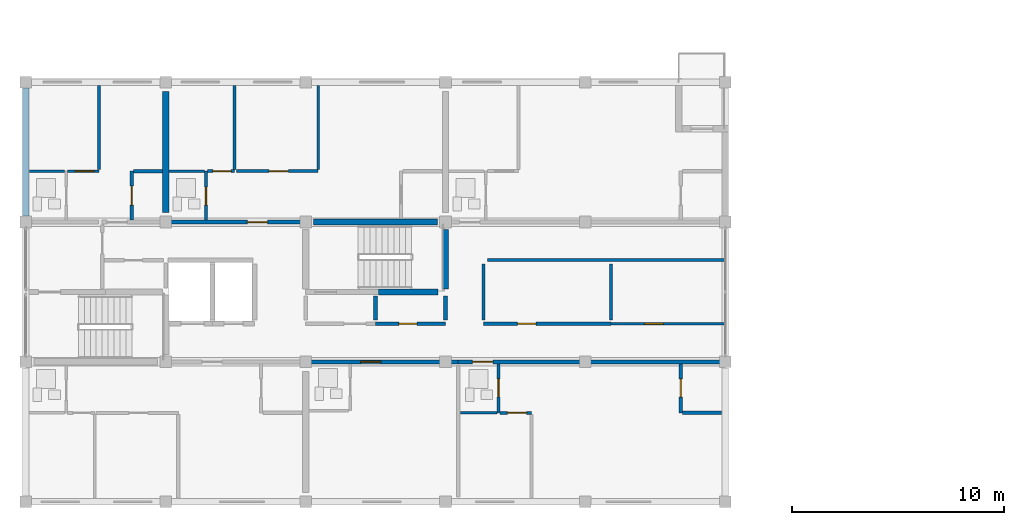
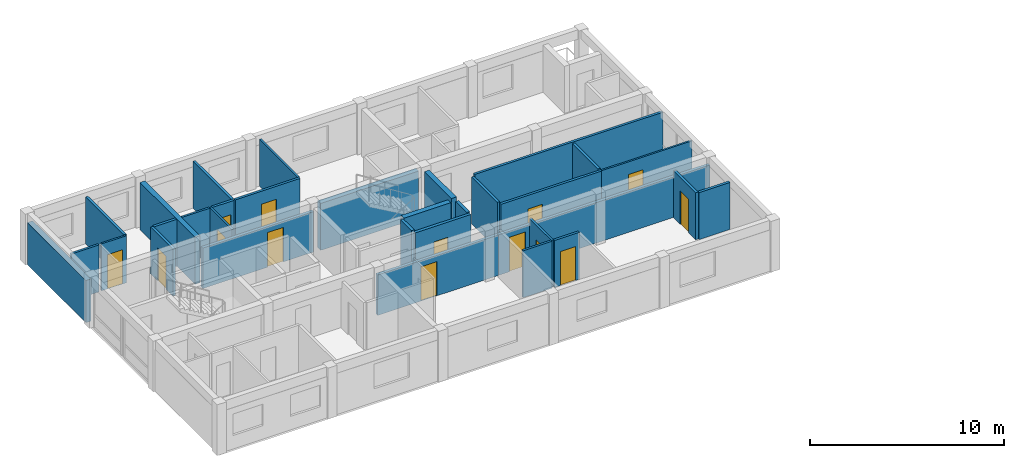
# One storey, part 32 of 45: 32 walls, 14 doors, 14 openings.
"""IFC4 building model written with IfcOpenShell, lengths in metres."""

from ifc_helpers import new_model, si_unit, direction, frame, frame_2d, origin, place, context, subcontext, project, spatial, rectangle, extrude, material, layer, layer_set, type_object, element, fill, save


model = new_model("IFC4")

# Units and contexts
model_context = context("Model", 3, precision=1e-05, world=origin(), true_north=direction((0.0, 1.0)))
body_context = subcontext(model_context, "Body", "Model", "MODEL_VIEW")
ifc_project = project(units=[si_unit("LENGTHUNIT", "METRE"), si_unit("AREAUNIT", "SQUARE_METRE"), si_unit("VOLUMEUNIT", "CUBIC_METRE"), si_unit("PLANEANGLEUNIT", "RADIAN"), si_unit("MASSUNIT", "GRAM", prefix="KILO")], contexts=[model_context])

# Site, building, storey
site_placement = place(None, origin())
site = spatial("IfcSite", under=ifc_project, at=site_placement, CompositionType="ELEMENT")
building_placement = place(site_placement, origin())
building = spatial("IfcBuilding", under=site, at=building_placement, Name="Kernevlak Ridge Housing Community", CompositionType="ELEMENT")
storey_placement = place(building_placement, frame((0.0, 0.0, 21.199951171875)))
storey = spatial("IfcBuildingStorey", under=building, at=storey_placement, Name="L06", CompositionType="ELEMENT", Elevation=21.199951171875)

# Wall
ifc_material_1 = material(Name="Concrete block masonry M10", Category="masonry")
ifc_layer_1 = layer(ifc_material_1, 0.320068359375, Name="Concrete block masonry M10")
ifc_layer_set_1 = layer_set([ifc_layer_1], Name="Concrete block masonry M10")
wall_type_1 = type_object("IfcWallType", Name="EW-02", PredefinedType="STANDARD", material=ifc_layer_set_1)
wall_1_placement = place(storey_placement, frame((15.60009765625, 89.47509765625, 0.0), z_axis=(0.0, 0.0, 1.0), x_axis=(0.0, 1.0, 0.0)))
element("IfcWall", 1, at=wall_1_placement, inside=storey, type_object=wall_type_1, Name="Exterior wall EW-02 L06 106", PredefinedType="STANDARD", context=body_context, shape_type="SweptSolid", body=[
    extrude(rectangle(XDim=6.0498046875, YDim=0.320068359375, at=frame_2d((3.02490234375, 0.0))), origin(), (0.0, 0.0, 1.0), 2.650146484375),
])

# Wall, opening, door
ifc_layer_2 = layer(ifc_material_1, 0.175048828125, Name="Concrete block masonry M10")
ifc_layer_set_2 = layer_set([ifc_layer_2], Name="Concrete block masonry M10")
wall_type_2 = type_object("IfcWallType", Name="PW-02", PredefinedType="PARTITIONING", material=ifc_layer_set_2)
wall_2_placement = place(storey_placement, frame((32.10009765625, 84.39990234375, 0.0), z_axis=(0.0, 0.0, 1.0), x_axis=(1.0, 0.0, 0.0)))
wall_2 = element("IfcWall", 2, at=wall_2_placement, inside=storey, type_object=wall_type_2, Name="Interior wall PW-02 WAL-INT-L06-0386", PredefinedType="PARTITIONING", context=body_context, shape_type="SweptSolid", body=[
    extrude(rectangle(XDim=3.2998046875, YDim=0.175048828125, at=frame_2d((1.64990234375, 0.0))), origin(), (0.0, 0.0, 1.0), 2.9599609375),
])
opening_1_placement = place(wall_2_placement, frame((1.10009765625, 0.0, 0.0)))
opening_1 = element("IfcOpeningElement", 3, at=opening_1_placement, cuts=wall_2, Name="Opening D194", PredefinedType="OPENING", context=body_context, shape_type="SweptSolid", body=[
    extrude(rectangle(XDim=0.85009765625, YDim=2.0, at=frame_2d((0.425048828125, 1.0))), frame((0.0, 0.097412109375, 0.0), z_axis=(0.0, -1.0, 0.0), x_axis=(1.0, 0.0, 0.0)), (0.0, 0.0, 1.0), 0.195068359375),
])
ifc_material_2 = material(Name="Fire-rated sheet steel leaf", Category="steel")
door_type_1 = type_object("IfcDoorType", Name="DT-07", OperationType="NOTDEFINED", PredefinedType="DOOR", material=ifc_material_2)
door_1_placement = place(opening_1_placement, origin())
door_1 = element("IfcDoor", 4, at=door_1_placement, inside=storey, type_object=door_type_1, Name="Block A Cleaner store door D194", OperationType="SINGLE_SWING_RIGHT", OverallHeight=2.0, OverallWidth=0.85009765625, PredefinedType="DOOR", context=body_context, shape_type="SweptSolid", body=[
    extrude(rectangle(XDim=0.85009765625, YDim=2.0, at=frame_2d((0.425048828125, 1.0))), frame((0.0, 0.02490234375, 0.0), z_axis=(0.0, -1.0, 0.0), x_axis=(1.0, 0.0, 0.0)), (0.0, 0.0, 1.0), 0.050048828125),
])
fill(opening_1, door_1)

# Walls
for number, where, z_axis, x_axis, name in (
    (5, (32.10009765625, 84.580078125, 0.0), (0.0, 0.0, 1.0), (0.0, 1.0, 0.0), "Interior wall PW-02 WAL-INT-L06-0388"),
    (6, (35.39990234375, 84.580078125, 0.0), (0.0, 0.0, 1.0), (0.0, 1.0, 0.0), "Interior wall PW-02 WAL-INT-L06-0389"),
):
    element("IfcWall", number, at=place(storey_placement, frame(where, z_axis=z_axis, x_axis=x_axis)), inside=storey, type_object=wall_type_2, Name=name, PredefinedType="PARTITIONING", context=body_context, shape_type="SweptSolid", body=[
        extrude(rectangle(XDim=1.139892578125, YDim=0.175048828125, at=frame_2d((0.56982421875, 0.0))), origin(), (0.0, 0.0, 1.0), 2.9599609375),
    ])

# Wall, opening, door
wall_3_placement = place(storey_placement, frame((28.800048828125, 82.60009765625, 0.0), z_axis=(0.0, 0.0, 1.0), x_axis=(1.0, 0.0, 0.0)))
wall_3 = element("IfcWall", 7, at=wall_3_placement, inside=storey, type_object=wall_type_2, Name="Interior wall PW-02 WAL-INT-L06-0404", PredefinedType="PARTITIONING", context=body_context, shape_type="SweptSolid", body=[
    extrude(rectangle(XDim=7.199951171875, YDim=0.175048828125, at=frame_2d((3.60009765625, 0.0))), origin(), (0.0, 0.0, 1.0), 2.550048828125),
])
opening_2_placement = place(wall_3_placement, frame((2.60009765625, 0.0, 0.0)))
opening_2 = element("IfcOpeningElement", 8, at=opening_2_placement, cuts=wall_3, Name="Opening D202", PredefinedType="OPENING", context=body_context, shape_type="SweptSolid", body=[
    extrude(rectangle(XDim=0.949951171875, YDim=2.159912109375, at=frame_2d((0.47509765625, 1.080078125))), frame((0.0, 0.097412109375, 0.0), z_axis=(0.0, -1.0, 0.0), x_axis=(1.0, 0.0, 0.0)), (0.0, 0.0, 1.0), 0.195068359375),
])
ifc_material_3 = material(Name="Hardwood timber solid-core fire leaf", Category="wood")
door_type_2 = type_object("IfcDoorType", Name="DT-02", OperationType="NOTDEFINED", PredefinedType="DOOR", material=ifc_material_3)
door_2_placement = place(opening_2_placement, origin())
door_2 = element("IfcDoor", 9, at=door_2_placement, inside=storey, type_object=door_type_2, Name="Flat A0612 entrance fire door D202", OperationType="SINGLE_SWING_RIGHT", OverallHeight=2.159912109375, OverallWidth=0.949951171875, PredefinedType="DOOR", context=body_context, shape_type="SweptSolid", body=[
    extrude(rectangle(XDim=0.949951171875, YDim=2.159912109375, at=frame_2d((0.47509765625, 1.080078125))), frame((0.0, 0.02490234375, 0.0), z_axis=(0.0, -1.0, 0.0), x_axis=(1.0, 0.0, 0.0)), (0.0, 0.0, 1.0), 0.050048828125),
])
fill(opening_2, door_2)

wall_4_placement = place(storey_placement, frame((36.0, 82.60009765625, 0.0), z_axis=(0.0, 0.0, 1.0), x_axis=(1.0, 0.0, 0.0)))
wall_4 = element("IfcWall", 10, at=wall_4_placement, inside=storey, type_object=wall_type_2, Name="Interior wall PW-02 WAL-INT-L06-0408", PredefinedType="PARTITIONING", context=body_context, shape_type="SweptSolid", body=[
    extrude(rectangle(XDim=12.60009765625, YDim=0.175048828125, at=frame_2d((6.300048828125, 0.0))), origin(), (0.0, 0.0, 1.0), 2.550048828125),
])
opening_3_placement = place(wall_4_placement, frame((0.669921875, 0.0, 0.0)))
opening_3 = element("IfcOpeningElement", 11, at=opening_3_placement, cuts=wall_4, Name="Opening D204", PredefinedType="OPENING", context=body_context, shape_type="SweptSolid", body=[
    extrude(rectangle(XDim=0.9599609375, YDim=2.179931640625, at=frame_2d((0.47998046875, 1.08984375))), frame((0.0, 0.097412109375, 0.0), z_axis=(0.0, -1.0, 0.0), x_axis=(1.0, 0.0, 0.0)), (0.0, 0.0, 1.0), 0.195068359375),
])
door_type_3 = type_object("IfcDoorType", Name="DT-29", OperationType="NOTDEFINED", PredefinedType="DOOR", material=ifc_material_3)
door_3_placement = place(opening_3_placement, origin())
door_3 = element("IfcDoor", 12, at=door_3_placement, inside=storey, type_object=door_type_3, Name="Flat A0613 entrance fire door D204", OperationType="SINGLE_SWING_RIGHT", OverallHeight=2.179931640625, OverallWidth=0.9599609375, PredefinedType="DOOR", context=body_context, shape_type="SweptSolid", body=[
    extrude(rectangle(XDim=0.9599609375, YDim=2.179931640625, at=frame_2d((0.47998046875, 1.08984375))), frame((0.0, 0.02490234375, 0.0), z_axis=(0.0, -1.0, 0.0), x_axis=(1.0, 0.0, 0.0)), (0.0, 0.0, 1.0), 0.050048828125),
])
fill(opening_3, door_3)

wall_5_placement = place(storey_placement, frame((22.199951171875, 89.199951171875, 0.0), z_axis=(0.0, 0.0, 1.0), x_axis=(1.0, 0.0, 0.0)))
wall_5 = element("IfcWall", 13, at=wall_5_placement, inside=storey, type_object=wall_type_2, Name="Interior wall PW-02 WAL-INT-L06-0423", PredefinedType="PARTITIONING", context=body_context, shape_type="SweptSolid", body=[
    extrude(rectangle(XDim=6.60009765625, YDim=0.175048828125, at=frame_2d((3.300048828125, 0.0))), origin(), (0.0, 0.0, 1.0), 2.550048828125),
])
opening_4_placement = place(wall_5_placement, frame((3.85009765625, 0.0, 0.0)))
opening_4 = element("IfcOpeningElement", 14, at=opening_4_placement, cuts=wall_5, Name="Opening D212", PredefinedType="OPENING", context=body_context, shape_type="SweptSolid", body=[
    extrude(rectangle(XDim=0.9599609375, YDim=2.179931640625, at=frame_2d((0.47998046875, 1.08984375))), frame((0.0, 0.097412109375, 0.0), z_axis=(0.0, -1.0, 0.0), x_axis=(1.0, 0.0, 0.0)), (0.0, 0.0, 1.0), 0.195068359375),
])
door_4_placement = place(opening_4_placement, origin())
door_4 = element("IfcDoor", 15, at=door_4_placement, inside=storey, type_object=door_type_3, Name="Flat A0622 entrance fire door D212", OperationType="SINGLE_SWING_RIGHT", OverallHeight=2.179931640625, OverallWidth=0.9599609375, PredefinedType="DOOR", context=body_context, shape_type="SweptSolid", body=[
    extrude(rectangle(XDim=0.9599609375, YDim=2.179931640625, at=frame_2d((0.47998046875, 1.08984375))), frame((0.0, 0.02490234375, 0.0), z_axis=(0.0, -1.0, 0.0), x_axis=(1.0, 0.0, 0.0)), (0.0, 0.0, 1.0), 0.050048828125),
])
fill(opening_4, door_4)

ifc_layer_3 = layer(ifc_material_1, 0.14501953125, Name="Concrete block masonry M10")
ifc_layer_set_3 = layer_set([ifc_layer_3], Name="Concrete block masonry M10")
wall_type_3 = type_object("IfcWallType", Name="PW-03", PredefinedType="PARTITIONING", material=ifc_layer_set_3)
wall_6_placement = place(storey_placement, frame((37.199951171875, 84.39990234375, 0.0), z_axis=(0.0, 0.0, 1.0), x_axis=(1.0, 0.0, 0.0)))
wall_6 = element("IfcWall", 16, at=wall_6_placement, inside=storey, type_object=wall_type_3, Name="Interior wall PW-03 WAL-INT-L06-0390", PredefinedType="PARTITIONING", context=body_context, shape_type="SweptSolid", body=[
    extrude(rectangle(XDim=6.0, YDim=0.14501953125, at=frame_2d((3.0, 0.0))), origin(), (0.0, 0.0, 1.0), 2.9599609375),
])
opening_5_placement = place(wall_6_placement, frame((1.60009765625, 0.0, 0.0)))
opening_5 = element("IfcOpeningElement", 17, at=opening_5_placement, cuts=wall_6, Name="Opening D195", PredefinedType="OPENING", context=body_context, shape_type="SweptSolid", body=[
    extrude(rectangle(XDim=0.8798828125, YDim=2.10009765625, at=frame_2d((0.43994140625, 1.050048828125))), frame((0.0, 0.08251953125, 0.0), z_axis=(0.0, -1.0, 0.0), x_axis=(1.0, 0.0, 0.0)), (0.0, 0.0, 1.0), 0.1650390625),
])
ifc_material_4 = material(Name="Hardwood timber leaf", Category="wood")
door_type_4 = type_object("IfcDoorType", Name="DT-25", OperationType="NOTDEFINED", PredefinedType="DOOR", material=ifc_material_4)
door_5_placement = place(opening_5_placement, origin())
door_5 = element("IfcDoor", 18, at=door_5_placement, inside=storey, type_object=door_type_4, Name="Block A Laundry room door D195", OperationType="SINGLE_SWING_LEFT", OverallHeight=2.10009765625, OverallWidth=0.8798828125, PredefinedType="DOOR", context=body_context, shape_type="SweptSolid", body=[
    extrude(rectangle(XDim=0.8798828125, YDim=2.10009765625, at=frame_2d((0.43994140625, 1.050048828125))), frame((0.0, 0.02490234375, 0.0), z_axis=(0.0, -1.0, 0.0), x_axis=(1.0, 0.0, 0.0)), (0.0, 0.0, 1.0), 0.050048828125),
])
fill(opening_5, door_5)

# Walls
wall_7_placement = place(storey_placement, frame((43.199951171875, 84.580078125, 0.0), z_axis=(0.0, 0.0, 1.0), x_axis=(0.0, 1.0, 0.0)))
element("IfcWall", 19, at=wall_7_placement, inside=storey, type_object=wall_type_3, Name="Interior wall PW-03 WAL-INT-L06-0392", PredefinedType="PARTITIONING", context=body_context, shape_type="SweptSolid", body=[
    extrude(rectangle(XDim=2.639892578125, YDim=0.14501953125, at=frame_2d((1.31982421875, 0.0))), origin(), (0.0, 0.0, 1.0), 2.9599609375),
])
wall_8_placement = place(storey_placement, frame((37.3798828125, 87.39990234375, 0.0), z_axis=(0.0, 0.0, 1.0), x_axis=(1.0, 0.0, 0.0)))
element("IfcWall", 20, at=wall_8_placement, inside=storey, type_object=wall_type_3, Name="Interior wall PW-03 WAL-INT-L06-0393", PredefinedType="PARTITIONING", context=body_context, shape_type="SweptSolid", body=[
    extrude(rectangle(XDim=11.2001953125, YDim=0.14501953125, at=frame_2d((5.60009765625, 0.0))), origin(), (0.0, 0.0, 1.0), 2.9599609375),
])
wall_9_placement = place(storey_placement, frame((37.199951171875, 84.580078125, 0.0), z_axis=(0.0, 0.0, 1.0), x_axis=(0.0, 1.0, 0.0)))
element("IfcWall", 21, at=wall_9_placement, inside=storey, type_object=wall_type_3, Name="Interior wall PW-03 WAL-INT-L06-0394", PredefinedType="PARTITIONING", context=body_context, shape_type="SweptSolid", body=[
    extrude(rectangle(XDim=2.639892578125, YDim=0.14501953125, at=frame_2d((1.31982421875, 0.0))), origin(), (0.0, 0.0, 1.0), 2.9599609375),
])

# Wall, opening, door
wall_10_placement = place(storey_placement, frame((37.972412109375, 80.199951171875, 0.0), z_axis=(0.0, 0.0, 1.0), x_axis=(1.0, 0.0, 0.0)))
wall_10 = element("IfcWall", 22, at=wall_10_placement, inside=storey, type_object=wall_type_3, Name="Interior wall PW-03 WAL-INT-L06-0413", PredefinedType="PARTITIONING", context=body_context, shape_type="SweptSolid", body=[
    extrude(rectangle(XDim=1.4775390625, YDim=0.14501953125, at=frame_2d((0.73876953125, 0.0))), origin(), (0.0, 0.0, 1.0), 2.9599609375),
])
opening_6_placement = place(wall_10_placement, frame((0.35009765625, 0.0, 0.0)))
opening_6 = element("IfcOpeningElement", 23, at=opening_6_placement, cuts=wall_10, Name="Opening D207", PredefinedType="OPENING", context=body_context, shape_type="SweptSolid", body=[
    extrude(rectangle(XDim=0.909912109375, YDim=2.139892578125, at=frame_2d((0.455078125, 1.06982421875))), frame((0.0, 0.08251953125, 0.0), z_axis=(0.0, -1.0, 0.0), x_axis=(1.0, 0.0, 0.0)), (0.0, 0.0, 1.0), 0.1650390625),
])
door_type_5 = type_object("IfcDoorType", Name="DT-31", OperationType="NOTDEFINED", PredefinedType="DOOR", material=ifc_material_4)
door_6_placement = place(opening_6_placement, origin())
door_6 = element("IfcDoor", 24, at=door_6_placement, inside=storey, type_object=door_type_5, Name="Flat A0613 bedroom door D207", OperationType="SINGLE_SWING_LEFT", OverallHeight=2.139892578125, OverallWidth=0.909912109375, PredefinedType="DOOR", context=body_context, shape_type="SweptSolid", body=[
    extrude(rectangle(XDim=0.909912109375, YDim=2.139892578125, at=frame_2d((0.455078125, 1.06982421875))), frame((0.0, 0.02490234375, 0.0), z_axis=(0.0, -1.0, 0.0), x_axis=(1.0, 0.0, 0.0)), (0.0, 0.0, 1.0), 0.050048828125),
])
fill(opening_6, door_6)

# Wall
wall_11_placement = place(storey_placement, frame((19.050048828125, 91.679931640625, 0.0), z_axis=(0.0, 0.0, 1.0), x_axis=(0.0, 1.0, 0.0)))
element("IfcWall", 25, at=wall_11_placement, inside=storey, type_object=wall_type_3, Name="Interior wall PW-03 WAL-INT-L06-0422", PredefinedType="PARTITIONING", context=body_context, shape_type="SweptSolid", body=[
    extrude(rectangle(XDim=3.949951171875, YDim=0.14501953125, at=frame_2d((1.97509765625, 0.0))), origin(), (0.0, 0.0, 1.0), 2.9599609375),
])

# Wall, opening, door
wall_12_placement = place(storey_placement, frame((24.172607421875, 91.60009765625, 0.0), z_axis=(0.0, 0.0, 1.0), x_axis=(1.0, 0.0, 0.0)))
wall_12 = element("IfcWall", 26, at=wall_12_placement, inside=storey, type_object=wall_type_3, Name="Interior wall PW-03 WAL-INT-L06-0428", PredefinedType="PARTITIONING", context=body_context, shape_type="SweptSolid", body=[
    extrude(rectangle(XDim=1.27734375, YDim=0.14501953125, at=frame_2d((0.638671875, 0.0))), origin(), (0.0, 0.0, 1.0), 2.9599609375),
])
opening_7_placement = place(wall_12_placement, frame((0.24755859375, 0.0, 0.0)))
opening_7 = element("IfcOpeningElement", 27, at=opening_7_placement, cuts=wall_12, Name="Opening D215", PredefinedType="OPENING", context=body_context, shape_type="SweptSolid", body=[
    extrude(rectangle(XDim=0.860107421875, YDim=2.1201171875, at=frame_2d((0.43017578125, 1.06005859375))), frame((0.0, 0.08251953125, 0.0), z_axis=(0.0, -1.0, 0.0), x_axis=(1.0, 0.0, 0.0)), (0.0, 0.0, 1.0), 0.1650390625),
])
door_type_6 = type_object("IfcDoorType", Name="DT-28", OperationType="NOTDEFINED", PredefinedType="DOOR", material=ifc_material_4)
door_7_placement = place(opening_7_placement, origin())
door_7 = element("IfcDoor", 28, at=door_7_placement, inside=storey, type_object=door_type_6, Name="Flat A0622 bedroom door D215", OperationType="SINGLE_SWING_LEFT", OverallHeight=2.1201171875, OverallWidth=0.860107421875, PredefinedType="DOOR", context=body_context, shape_type="SweptSolid", body=[
    extrude(rectangle(XDim=0.860107421875, YDim=2.1201171875, at=frame_2d((0.43017578125, 1.06005859375))), frame((0.0, 0.02490234375, 0.0), z_axis=(0.0, -1.0, 0.0), x_axis=(1.0, 0.0, 0.0)), (0.0, 0.0, 1.0), 0.050048828125),
])
fill(opening_7, door_7)

# Wall
wall_13_placement = place(storey_placement, frame((25.449951171875, 91.6826171875, 0.0), z_axis=(0.0, 0.0, 1.0), x_axis=(0.0, 1.0, 0.0)))
element("IfcWall", 29, at=wall_13_placement, inside=storey, type_object=wall_type_3, Name="Interior wall PW-03 WAL-INT-L06-0429", PredefinedType="PARTITIONING", context=body_context, shape_type="SweptSolid", body=[
    extrude(rectangle(XDim=3.947265625, YDim=0.14501953125, at=frame_2d((1.9736328125, 0.0))), origin(), (0.0, 0.0, 1.0), 2.9599609375),
])

# Wall, opening, door
wall_14_placement = place(storey_placement, frame((25.532470703125, 91.60009765625, 0.0), z_axis=(0.0, 0.0, 1.0), x_axis=(1.0, 0.0, 0.0)))
wall_14 = element("IfcWall", 30, at=wall_14_placement, inside=storey, type_object=wall_type_3, Name="Interior wall PW-03 WAL-INT-L06-0430", PredefinedType="PARTITIONING", context=body_context, shape_type="SweptSolid", body=[
    extrude(rectangle(XDim=3.859619140625, YDim=0.14501953125, at=frame_2d((1.9296875, 0.0))), origin(), (0.0, 0.0, 1.0), 2.9599609375),
])
opening_8_placement = place(wall_14_placement, frame((1.5458984375, 0.0, 0.0)))
opening_8 = element("IfcOpeningElement", 31, at=opening_8_placement, cuts=wall_14, Name="Opening D216", PredefinedType="OPENING", context=body_context, shape_type="SweptSolid", body=[
    extrude(rectangle(XDim=0.909912109375, YDim=2.139892578125, at=frame_2d((0.455078125, 1.06982421875))), frame((0.0, 0.08251953125, 0.0), z_axis=(0.0, -1.0, 0.0), x_axis=(1.0, 0.0, 0.0)), (0.0, 0.0, 1.0), 0.1650390625),
])
door_8_placement = place(opening_8_placement, origin())
door_8 = element("IfcDoor", 32, at=door_8_placement, inside=storey, type_object=door_type_5, Name="Flat A0622 bedroom door D216", OperationType="SINGLE_SWING_RIGHT", OverallHeight=2.139892578125, OverallWidth=0.909912109375, PredefinedType="DOOR", context=body_context, shape_type="SweptSolid", body=[
    extrude(rectangle(XDim=0.909912109375, YDim=2.139892578125, at=frame_2d((0.455078125, 1.06982421875))), frame((0.0, 0.02490234375, 0.0), z_axis=(0.0, -1.0, 0.0), x_axis=(1.0, 0.0, 0.0)), (0.0, 0.0, 1.0), 0.050048828125),
])
fill(opening_8, door_8)

ifc_material_5 = material(Name="Gypsum plasterboard EN 520", Category="gypsum")
ifc_layer_4 = layer(ifc_material_5, 0.125, Name="Gypsum plasterboard EN 520")
ifc_layer_set_4 = layer_set([ifc_layer_4], Name="Gypsum plasterboard EN 520")
wall_type_4 = type_object("IfcWallType", Name="PW-04", PredefinedType="PARTITIONING", material=ifc_layer_set_4)
wall_15_placement = place(storey_placement, frame((37.89990234375, 82.50244140625, 0.0), z_axis=(0.0, 0.0, 1.0), x_axis=(0.0, -1.0, 0.0)))
wall_15 = element("IfcWall", 33, at=wall_15_placement, inside=storey, type_object=wall_type_4, Name="Interior wall PW-04 WAL-INT-L06-0409", PredefinedType="PARTITIONING", context=body_context, shape_type="SweptSolid", body=[
    extrude(rectangle(XDim=2.302490234375, YDim=0.125, at=frame_2d((1.1513671875, 0.0))), origin(), (0.0, 0.0, 1.0), 2.9599609375),
])
opening_9_placement = place(wall_15_placement, frame((0.699951171875, 0.0, 0.0)))
opening_9 = element("IfcOpeningElement", 34, at=opening_9_placement, cuts=wall_15, Name="Opening D205", PredefinedType="OPENING", context=body_context, shape_type="SweptSolid", body=[
    extrude(rectangle(XDim=0.85009765625, YDim=2.0400390625, at=frame_2d((0.425048828125, 1.02001953125))), frame((0.0, 0.072509765625, 0.0), z_axis=(0.0, -1.0, 0.0), x_axis=(1.0, 0.0, 0.0)), (0.0, 0.0, 1.0), 0.14501953125),
])
ifc_material_6 = material(Name="Hardwood timber moisture-resistant leaf", Category="wood")
door_type_7 = type_object("IfcDoorType", Name="DT-04", OperationType="NOTDEFINED", PredefinedType="DOOR", material=ifc_material_6)
door_9_placement = place(opening_9_placement, origin())
door_9 = element("IfcDoor", 35, at=door_9_placement, inside=storey, type_object=door_type_7, Name="Flat A0613 bathroom door D205", OperationType="SINGLE_SWING_LEFT", OverallHeight=2.0400390625, OverallWidth=0.85009765625, PredefinedType="DOOR", context=body_context, shape_type="SweptSolid", body=[
    extrude(rectangle(XDim=0.85009765625, YDim=2.0400390625, at=frame_2d((0.425048828125, 1.02001953125))), frame((0.0, 0.02490234375, 0.0), z_axis=(0.0, -1.0, 0.0), x_axis=(1.0, 0.0, 0.0)), (0.0, 0.0, 1.0), 0.050048828125),
])
fill(opening_9, door_9)

# Walls
wall_16_placement = place(storey_placement, frame((36.097412109375, 80.199951171875, 0.0), z_axis=(0.0, 0.0, 1.0), x_axis=(1.0, 0.0, 0.0)))
element("IfcWall", 36, at=wall_16_placement, inside=storey, type_object=wall_type_4, Name="Interior wall PW-04 WAL-INT-L06-0410", PredefinedType="PARTITIONING", context=body_context, shape_type="SweptSolid", body=[
    extrude(rectangle(XDim=1.72265625, YDim=0.125, at=frame_2d((0.861328125, 0.0))), origin(), (0.0, 0.0, 1.0), 2.9599609375),
])
wall_17_placement = place(storey_placement, frame((15.77001953125, 91.60009765625, 0.0), z_axis=(0.0, 0.0, 1.0), x_axis=(1.0, 0.0, 0.0)))
element("IfcWall", 37, at=wall_17_placement, inside=storey, type_object=wall_type_4, Name="Interior wall PW-04 WAL-INT-L06-0418", PredefinedType="PARTITIONING", context=body_context, shape_type="SweptSolid", body=[
    extrude(rectangle(XDim=1.64990234375, YDim=0.125, at=frame_2d((0.824951171875, 0.0))), origin(), (0.0, 0.0, 1.0), 2.9599609375),
])

# Wall, opening, door
wall_18_placement = place(storey_placement, frame((24.10009765625, 89.297607421875, 0.0), z_axis=(0.0, 0.0, 1.0), x_axis=(0.0, 1.0, 0.0)))
wall_18 = element("IfcWall", 38, at=wall_18_placement, inside=storey, type_object=wall_type_4, Name="Interior wall PW-04 WAL-INT-L06-0424", PredefinedType="PARTITIONING", context=body_context, shape_type="SweptSolid", body=[
    extrude(rectangle(XDim=2.302490234375, YDim=0.125, at=frame_2d((1.1513671875, 0.0))), origin(), (0.0, 0.0, 1.0), 2.9599609375),
])
opening_10_placement = place(wall_18_placement, frame((0.699951171875, 0.0, 0.0)))
opening_10 = element("IfcOpeningElement", 39, at=opening_10_placement, cuts=wall_18, Name="Opening D213", PredefinedType="OPENING", context=body_context, shape_type="SweptSolid", body=[
    extrude(rectangle(XDim=0.85009765625, YDim=2.0400390625, at=frame_2d((0.425048828125, 1.02001953125))), frame((0.0, 0.072509765625, 0.0), z_axis=(0.0, -1.0, 0.0), x_axis=(1.0, 0.0, 0.0)), (0.0, 0.0, 1.0), 0.14501953125),
])
door_10_placement = place(opening_10_placement, origin())
door_10 = element("IfcDoor", 40, at=door_10_placement, inside=storey, type_object=door_type_7, Name="Flat A0622 bathroom door D213", OperationType="SINGLE_SWING_LEFT", OverallHeight=2.0400390625, OverallWidth=0.85009765625, PredefinedType="DOOR", context=body_context, shape_type="SweptSolid", body=[
    extrude(rectangle(XDim=0.85009765625, YDim=2.0400390625, at=frame_2d((0.425048828125, 1.02001953125))), frame((0.0, 0.02490234375, 0.0), z_axis=(0.0, -1.0, 0.0), x_axis=(1.0, 0.0, 0.0)), (0.0, 0.0, 1.0), 0.050048828125),
])
fill(opening_10, door_10)

# Wall
wall_19_placement = place(storey_placement, frame((22.360107421875, 91.60009765625, 0.0), z_axis=(0.0, 0.0, 1.0), x_axis=(1.0, 0.0, 0.0)))
element("IfcWall", 41, at=wall_19_placement, inside=storey, type_object=wall_type_4, Name="Interior wall PW-04 WAL-INT-L06-0425", PredefinedType="PARTITIONING", context=body_context, shape_type="SweptSolid", body=[
    extrude(rectangle(XDim=1.659912109375, YDim=0.125, at=frame_2d((0.830078125, 0.0))), origin(), (0.0, 0.0, 1.0), 2.9599609375),
])

# Wall, opening, door
ifc_layer_5 = layer(ifc_material_5, 0.155029296875, Name="Gypsum plasterboard EN 520")
ifc_layer_set_5 = layer_set([ifc_layer_5], Name="Gypsum plasterboard EN 520")
wall_type_5 = type_object("IfcWallType", Name="PW-05", PredefinedType="PARTITIONING", material=ifc_layer_set_5)
wall_20_placement = place(storey_placement, frame((46.5, 82.50244140625, 0.0), z_axis=(0.0, 0.0, 1.0), x_axis=(0.0, -1.0, 0.0)))
wall_20 = element("IfcWall", 42, at=wall_20_placement, inside=storey, type_object=wall_type_5, Name="Interior wall PW-05 WAL-INT-L06-0411", PredefinedType="PARTITIONING", context=body_context, shape_type="SweptSolid", body=[
    extrude(rectangle(XDim=2.302490234375, YDim=0.155029296875, at=frame_2d((1.1513671875, 0.0))), origin(), (0.0, 0.0, 1.0), 2.9599609375),
])
opening_11_placement = place(wall_20_placement, frame((0.699951171875, 0.0, 0.0)))
opening_11 = element("IfcOpeningElement", 43, at=opening_11_placement, cuts=wall_20, Name="Opening D206", PredefinedType="OPENING", context=body_context, shape_type="SweptSolid", body=[
    extrude(rectangle(XDim=0.860107421875, YDim=2.1201171875, at=frame_2d((0.43017578125, 1.06005859375))), frame((0.0, 0.08740234375, 0.0), z_axis=(0.0, -1.0, 0.0), x_axis=(1.0, 0.0, 0.0)), (0.0, 0.0, 1.0), 0.175048828125),
])
door_11_placement = place(opening_11_placement, origin())
door_11 = element("IfcDoor", 44, at=door_11_placement, inside=storey, type_object=door_type_6, Name="Flat A0613 kitchen door D206", OperationType="SINGLE_SWING_RIGHT", OverallHeight=2.1201171875, OverallWidth=0.860107421875, PredefinedType="DOOR", context=body_context, shape_type="SweptSolid", body=[
    extrude(rectangle(XDim=0.860107421875, YDim=2.1201171875, at=frame_2d((0.43017578125, 1.06005859375))), frame((0.0, 0.02490234375, 0.0), z_axis=(0.0, -1.0, 0.0), x_axis=(1.0, 0.0, 0.0)), (0.0, 0.0, 1.0), 0.050048828125),
])
fill(opening_11, door_11)

# Wall
wall_21_placement = place(storey_placement, frame((46.58740234375, 80.199951171875, 0.0), z_axis=(0.0, 0.0, 1.0), x_axis=(1.0, 0.0, 0.0)))
element("IfcWall", 45, at=wall_21_placement, inside=storey, type_object=wall_type_5, Name="Interior wall PW-05 WAL-INT-L06-0412", PredefinedType="PARTITIONING", context=body_context, shape_type="SweptSolid", body=[
    extrude(rectangle(XDim=1.842529296875, YDim=0.155029296875, at=frame_2d((0.92138671875, 0.0))), origin(), (0.0, 0.0, 1.0), 2.9599609375),
])

# Wall, opening, door
wall_22_placement = place(storey_placement, frame((20.60009765625, 89.297607421875, 0.0), z_axis=(0.0, 0.0, 1.0), x_axis=(0.0, 1.0, 0.0)))
wall_22 = element("IfcWall", 46, at=wall_22_placement, inside=storey, type_object=wall_type_5, Name="Interior wall PW-05 WAL-INT-L06-0419", PredefinedType="PARTITIONING", context=body_context, shape_type="SweptSolid", body=[
    extrude(rectangle(XDim=2.302490234375, YDim=0.155029296875, at=frame_2d((1.1513671875, 0.0))), origin(), (0.0, 0.0, 1.0), 2.9599609375),
])
opening_12_placement = place(wall_22_placement, frame((0.699951171875, 0.0, 0.0)))
opening_12 = element("IfcOpeningElement", 47, at=opening_12_placement, cuts=wall_22, Name="Opening D210", PredefinedType="OPENING", context=body_context, shape_type="SweptSolid", body=[
    extrude(rectangle(XDim=0.89990234375, YDim=2.10009765625, at=frame_2d((0.449951171875, 1.050048828125))), frame((0.0, 0.08740234375, 0.0), z_axis=(0.0, -1.0, 0.0), x_axis=(1.0, 0.0, 0.0)), (0.0, 0.0, 1.0), 0.175048828125),
])
door_type_8 = type_object("IfcDoorType", Name="DT-21", OperationType="NOTDEFINED", PredefinedType="DOOR", material=ifc_material_4)
door_12_placement = place(opening_12_placement, origin())
door_12 = element("IfcDoor", 48, at=door_12_placement, inside=storey, type_object=door_type_8, Name="Flat A0621 kitchen door D210", OperationType="SINGLE_SWING_RIGHT", OverallHeight=2.10009765625, OverallWidth=0.89990234375, PredefinedType="DOOR", context=body_context, shape_type="SweptSolid", body=[
    extrude(rectangle(XDim=0.89990234375, YDim=2.10009765625, at=frame_2d((0.449951171875, 1.050048828125))), frame((0.0, 0.02490234375, 0.0), z_axis=(0.0, -1.0, 0.0), x_axis=(1.0, 0.0, 0.0)), (0.0, 0.0, 1.0), 0.050048828125),
])
fill(opening_12, door_12)

# Wall
wall_23_placement = place(storey_placement, frame((20.6875, 91.60009765625, 0.0), z_axis=(0.0, 0.0, 1.0), x_axis=(1.0, 0.0, 0.0)))
element("IfcWall", 49, at=wall_23_placement, inside=storey, type_object=wall_type_5, Name="Interior wall PW-05 WAL-INT-L06-0420", PredefinedType="PARTITIONING", context=body_context, shape_type="SweptSolid", body=[
    extrude(rectangle(XDim=1.3525390625, YDim=0.155029296875, at=frame_2d((0.67626953125, 0.0))), origin(), (0.0, 0.0, 1.0), 2.9599609375),
])

# Wall, opening, door
ifc_layer_6 = layer(ifc_material_5, 0.10498046875, Name="Gypsum plasterboard EN 520")
ifc_layer_set_6 = layer_set([ifc_layer_6], Name="Gypsum plasterboard EN 520")
wall_type_6 = type_object("IfcWallType", Name="PW-06", PredefinedType="PARTITIONING", material=ifc_layer_set_6)
wall_24_placement = place(storey_placement, frame((43.199951171875, 84.39990234375, 0.0), z_axis=(0.0, 0.0, 1.0), x_axis=(1.0, 0.0, 0.0)))
wall_24 = element("IfcWall", 50, at=wall_24_placement, inside=storey, type_object=wall_type_6, Name="Interior wall PW-06 WAL-INT-L06-0391", PredefinedType="PARTITIONING", context=body_context, shape_type="SweptSolid", body=[
    extrude(rectangle(XDim=5.400146484375, YDim=0.10498046875, at=frame_2d((2.7001953125, 0.0))), origin(), (0.0, 0.0, 1.0), 2.9599609375),
])
opening_13_placement = place(wall_24_placement, frame((1.60009765625, 0.0, 0.0)))
opening_13 = element("IfcOpeningElement", 51, at=opening_13_placement, cuts=wall_24, Name="Opening D196", PredefinedType="OPENING", context=body_context, shape_type="SweptSolid", body=[
    extrude(rectangle(XDim=0.8798828125, YDim=2.159912109375, at=frame_2d((0.43994140625, 1.080078125))), frame((0.0, 0.0625, 0.0), z_axis=(0.0, -1.0, 0.0), x_axis=(1.0, 0.0, 0.0)), (0.0, 0.0, 1.0), 0.125),
])
door_type_9 = type_object("IfcDoorType", Name="DT-26", OperationType="NOTDEFINED", PredefinedType="DOOR", material=ifc_material_4)
door_13_placement = place(opening_13_placement, origin())
door_13 = element("IfcDoor", 52, at=door_13_placement, inside=storey, type_object=door_type_9, Name="Block A Study room door D196", OperationType="SINGLE_SWING_RIGHT", OverallHeight=2.159912109375, OverallWidth=0.8798828125, PredefinedType="DOOR", context=body_context, shape_type="SweptSolid", body=[
    extrude(rectangle(XDim=0.8798828125, YDim=2.159912109375, at=frame_2d((0.43994140625, 1.080078125))), frame((0.0, 0.02490234375, 0.0), z_axis=(0.0, -1.0, 0.0), x_axis=(1.0, 0.0, 0.0)), (0.0, 0.0, 1.0), 0.050048828125),
])
fill(opening_13, door_13)

wall_25_placement = place(storey_placement, frame((17.572509765625, 91.60009765625, 0.0), z_axis=(0.0, 0.0, 1.0), x_axis=(1.0, 0.0, 0.0)))
wall_25 = element("IfcWall", 53, at=wall_25_placement, inside=storey, type_object=wall_type_6, Name="Interior wall PW-06 WAL-INT-L06-0421", PredefinedType="PARTITIONING", context=body_context, shape_type="SweptSolid", body=[
    extrude(rectangle(XDim=1.4775390625, YDim=0.10498046875, at=frame_2d((0.73876953125, 0.0))), origin(), (0.0, 0.0, 1.0), 2.9599609375),
])
opening_14_placement = place(wall_25_placement, frame((0.35009765625, 0.0, 0.0)))
opening_14 = element("IfcOpeningElement", 54, at=opening_14_placement, cuts=wall_25, Name="Opening D211", PredefinedType="OPENING", context=body_context, shape_type="SweptSolid", body=[
    extrude(rectangle(XDim=0.89990234375, YDim=2.159912109375, at=frame_2d((0.449951171875, 1.080078125))), frame((0.0, 0.0625, 0.0), z_axis=(0.0, -1.0, 0.0), x_axis=(1.0, 0.0, 0.0)), (0.0, 0.0, 1.0), 0.125),
])
door_type_10 = type_object("IfcDoorType", Name="DT-22", OperationType="NOTDEFINED", PredefinedType="DOOR", material=ifc_material_4)
door_14_placement = place(opening_14_placement, origin())
door_14 = element("IfcDoor", 55, at=door_14_placement, inside=storey, type_object=door_type_10, Name="Flat A0621 bedroom door D211", OperationType="SINGLE_SWING_LEFT", OverallHeight=2.159912109375, OverallWidth=0.89990234375, PredefinedType="DOOR", context=body_context, shape_type="SweptSolid", body=[
    extrude(rectangle(XDim=0.89990234375, YDim=2.159912109375, at=frame_2d((0.449951171875, 1.080078125))), frame((0.0, 0.02490234375, 0.0), z_axis=(0.0, -1.0, 0.0), x_axis=(1.0, 0.0, 0.0)), (0.0, 0.0, 1.0), 0.050048828125),
])
fill(opening_14, door_14)

# Walls
wall_26_placement = place(storey_placement, frame((29.39208984375, 91.6826171875, 0.0), z_axis=(0.0, 0.0, 1.0), x_axis=(0.0, 1.0, 0.0)))
element("IfcWall", 56, at=wall_26_placement, inside=storey, type_object=wall_type_6, Name="Interior wall PW-06 WAL-INT-L06-0431", PredefinedType="PARTITIONING", context=body_context, shape_type="SweptSolid", body=[
    extrude(rectangle(XDim=3.947265625, YDim=0.10498046875, at=frame_2d((1.9736328125, 0.0))), origin(), (0.0, 0.0, 1.0), 2.9599609375),
])
ifc_material_7 = material(Name="Concrete C40/50", Category="concrete")
ifc_layer_7 = layer(ifc_material_7, 0.300048828125, Name="Concrete C40/50")
ifc_layer_set_7 = layer_set([ifc_layer_7], Name="Concrete C40/50")
wall_type_7 = type_object("IfcWallType", Name="SW-02", PredefinedType="SHEAR", material=ifc_layer_set_7)
wall_27_placement = place(storey_placement, frame((29.179931640625, 89.199951171875, 0.0), z_axis=(0.0, 0.0, 1.0), x_axis=(1.0, 0.0, 0.0)))
element("IfcWall", 57, at=wall_27_placement, inside=storey, type_object=wall_type_7, Name="Shear wall SW-02 Block A L06 74", PredefinedType="SHEAR", context=body_context, shape_type="SweptSolid", body=[
    extrude(rectangle(XDim=5.840087890625, YDim=0.300048828125, at=frame_2d((2.919921875, 0.0))), origin(), (0.0, 0.0, 1.0), 2.9599609375),
])
for number, where, z_axis, x_axis, name in (
    (58, (32.25, 85.89990234375, 0.0), (0.0, 0.0, 1.0), (1.0, 0.0, 0.0), "Shear wall SW-02 Block A L06 75"),
    (59, (35.39990234375, 86.050048828125, 0.0), (0.0, 0.0, 1.0), (0.0, 1.0, 0.0), "Shear wall SW-02 Block A L06 77"),
):
    element("IfcWall", number, at=place(storey_placement, frame(where, z_axis=z_axis, x_axis=x_axis)), inside=storey, type_object=wall_type_7, Name=name, PredefinedType="SHEAR", context=body_context, shape_type="SweptSolid", body=[
        extrude(rectangle(XDim=2.800048828125, YDim=0.300048828125, at=frame_2d((1.39990234375, 0.0))), origin(), (0.0, 0.0, 1.0), 2.9599609375),
    ])
wall_28_placement = place(storey_placement, frame((22.199951171875, 89.64990234375, 0.0), z_axis=(0.0, 0.0, 1.0), x_axis=(0.0, 1.0, 0.0)))
element("IfcWall", 60, at=wall_28_placement, inside=storey, type_object=wall_type_7, Name="Shear wall SW-02 Block A L06 79", PredefinedType="SHEAR", context=body_context, shape_type="SweptSolid", body=[
    extrude(rectangle(XDim=5.7001953125, YDim=0.300048828125, at=frame_2d((2.85009765625, 0.0))), origin(), (0.0, 0.0, 1.0), 2.9599609375),
])

save(model, "model.ifc")
